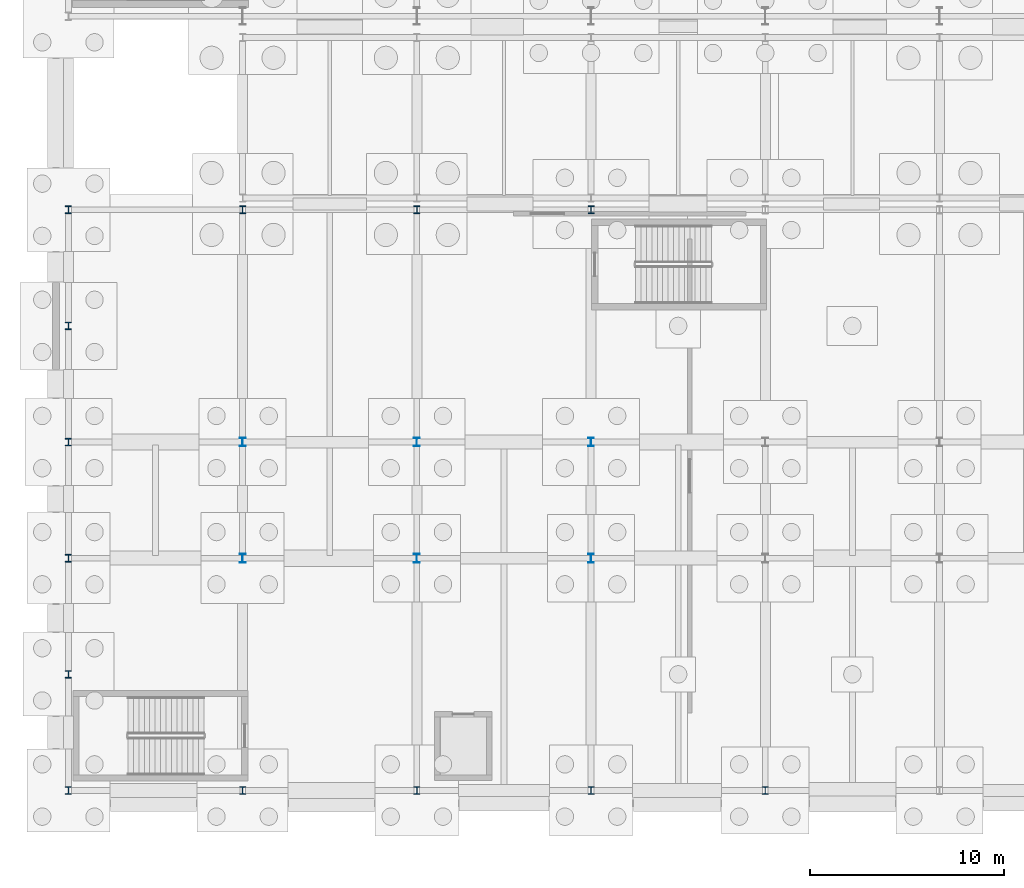
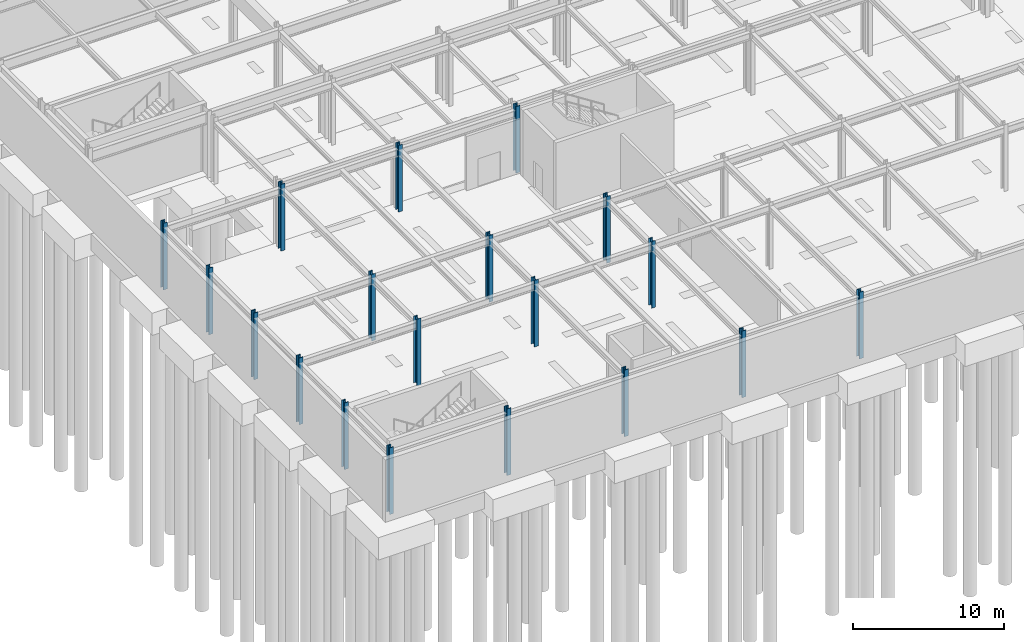
# One storey, part 13 of 65: 19 columns.
"""IFC4 building model written with IfcOpenShell, lengths in metres."""

from ifc_helpers import new_model, si_unit, direction, frame, origin, origin_2d, place, context, subcontext, project, spatial, i_section, extrude, material, material_profile, profile_set, type_object, element, save


model = new_model("IFC4")

# Units and contexts
model_context = context("Model", 3, precision=1e-05, world=origin(), true_north=direction((0.0, 1.0)))
body_context = subcontext(model_context, "Body", "Model", "MODEL_VIEW")
ifc_project = project(units=[si_unit("LENGTHUNIT", "METRE"), si_unit("AREAUNIT", "SQUARE_METRE"), si_unit("VOLUMEUNIT", "CUBIC_METRE"), si_unit("PLANEANGLEUNIT", "RADIAN"), si_unit("MASSUNIT", "GRAM", prefix="KILO")], contexts=[model_context])

# Site, building, storey
site_placement = place(None, origin())
site = spatial("IfcSite", under=ifc_project, at=site_placement, CompositionType="ELEMENT")
building_placement = place(site_placement, origin())
building = spatial("IfcBuilding", under=site, at=building_placement, Name="Kaldris Quays Convention Centre", CompositionType="ELEMENT")
storey_placement = place(building_placement, frame((0.0, 0.0, -5.39990234375)))
storey = spatial("IfcBuildingStorey", under=building, at=storey_placement, Name="B1", CompositionType="ELEMENT", Elevation=-5.39990234375)

# Columns
ifc_material_1 = material(Name="Steel S460ML", Category="steel")
ifc_material_profile_1 = material_profile(ifc_material_1, i_section(OverallWidth=0.30810546875, OverallDepth=0.39501953125, WebThickness=0.02099609375, FlangeThickness=0.0400390625, FilletRadius=0.027099609375, at=origin_2d()), Name="HEM 360")
ifc_profile_set_1 = profile_set([ifc_material_profile_1], Name="Steel S460ML")
column_type_1 = type_object("IfcColumnType", Name="STRUCTURAL COLUMN CL02", PredefinedType="COLUMN", material=ifc_profile_set_1)
for number, where, z_axis, x_axis, name in (
    (1, (20.0, 16.0, 0.0), (0.0, 0.0, 1.0), (1.0, 0.0, 0.0), "B1 V3 Column CL02 (20.00, 16.00)"),
    (2, (20.0, 22.0, 0.0), (0.0, 0.0, 1.0), (1.0, 0.0, 0.0), "B1 V3 Column CL02 (20.00, 22.00)"),
    (3, (20.0, 28.0, 0.0), (0.0, 0.0, 1.0), (1.0, 0.0, 0.0), "B1 V3 Column CL02 (20.00, 28.00)"),
    (4, (20.0, 34.0, 0.0), (0.0, 0.0, 1.0), (1.0, 0.0, 0.0), "B1 V3 Column CL02 (20.00, 34.00)"),
    (5, (20.0, 40.0, 0.0), (0.0, 0.0, 1.0), (1.0, 0.0, 0.0), "B1 V3 Column CL02 (20.00, 40.00)"),
    (6, (20.0, 46.0, 0.0), (0.0, 0.0, 1.0), (1.0, 0.0, 0.0), "B1 V3 Column CL02 (20.00, 46.00)"),
    (7, (29.0, 16.0, 0.0), (0.0, 0.0, 1.0), (1.0, 0.0, 0.0), "B1 V3 Column CL02 (29.00, 16.00)"),
    (8, (29.0, 46.0, 0.0), (0.0, 0.0, 1.0), (1.0, 0.0, 0.0), "B1 V3 Column CL02 (29.00, 46.00)"),
    (9, (38.0, 16.0, 0.0), (0.0, 0.0, 1.0), (1.0, 0.0, 0.0), "B1 V3 Column CL02 (38.00, 16.00)"),
    (10, (38.0, 46.0, 0.0), (0.0, 0.0, 1.0), (1.0, 0.0, 0.0), "B1 V3 Column CL02 (38.00, 46.00)"),
    (11, (47.0, 16.0, 0.0), (0.0, 0.0, 1.0), (1.0, 0.0, 0.0), "B1 V3 Column CL02 (47.00, 16.00)"),
    (12, (47.0, 46.0, 0.0), (0.0, 0.0, 1.0), (1.0, 0.0, 0.0), "B1 V3 Column CL02 (47.00, 46.00)"),
    (13, (56.0, 16.0, 0.0), (0.0, 0.0, 1.0), (1.0, 0.0, 0.0), "B1 V3 Column CL02 (56.00, 16.00)"),
):
    element("IfcColumn", number, at=place(storey_placement, frame(where, z_axis=z_axis, x_axis=x_axis)), inside=storey, type_object=column_type_1, Name=name, PredefinedType="COLUMN", context=body_context, shape_type="SweptSolid", body=[
        extrude(i_section(OverallWidth=0.30810546875, OverallDepth=0.39501953125, WebThickness=0.02099609375, FlangeThickness=0.0400390625, FilletRadius=0.027099609375, at=origin_2d()), origin(), (0.0, 0.0, 1.0), 5.39990234375),
    ])
ifc_material_2 = material(Name="Steel S355J2", Category="steel")
ifc_material_profile_2 = material_profile(ifc_material_2, i_section(OverallWidth=0.300048828125, OverallDepth=0.449951171875, WebThickness=0.013916015625, FlangeThickness=0.02587890625, FilletRadius=0.027099609375, at=origin_2d()), Name="HEB 450")
ifc_profile_set_2 = profile_set([ifc_material_profile_2], Name="Steel S355J2")
column_type_2 = type_object("IfcColumnType", Name="STRUCTURAL COLUMN CL08", PredefinedType="COLUMN", material=ifc_profile_set_2)
for number, where, z_axis, x_axis, name in (
    (14, (29.0, 28.0, 0.0), (0.0, 0.0, 1.0), (1.0, 0.0, 0.0), "B1 V3 Column CL08 (29.00, 28.00)"),
    (15, (29.0, 34.0, 0.0), (0.0, 0.0, 1.0), (1.0, 0.0, 0.0), "B1 V3 Column CL08 (29.00, 34.00)"),
    (16, (38.0, 28.0, 0.0), (0.0, 0.0, 1.0), (1.0, 0.0, 0.0), "B1 V3 Column CL08 (38.00, 28.00)"),
    (17, (38.0, 34.0, 0.0), (0.0, 0.0, 1.0), (1.0, 0.0, 0.0), "B1 V3 Column CL08 (38.00, 34.00)"),
    (18, (47.0, 28.0, 0.0), (0.0, 0.0, 1.0), (1.0, 0.0, 0.0), "B1 V3 Column CL08 (47.00, 28.00)"),
    (19, (47.0, 34.0, 0.0), (0.0, 0.0, 1.0), (1.0, 0.0, 0.0), "B1 V3 Column CL08 (47.00, 34.00)"),
):
    element("IfcColumn", number, at=place(storey_placement, frame(where, z_axis=z_axis, x_axis=x_axis)), inside=storey, type_object=column_type_2, Name=name, PredefinedType="COLUMN", context=body_context, shape_type="SweptSolid", body=[
        extrude(i_section(OverallWidth=0.300048828125, OverallDepth=0.449951171875, WebThickness=0.013916015625, FlangeThickness=0.02587890625, FilletRadius=0.027099609375, at=origin_2d()), origin(), (0.0, 0.0, 1.0), 5.39990234375),
    ])

save(model, "model.ifc")
